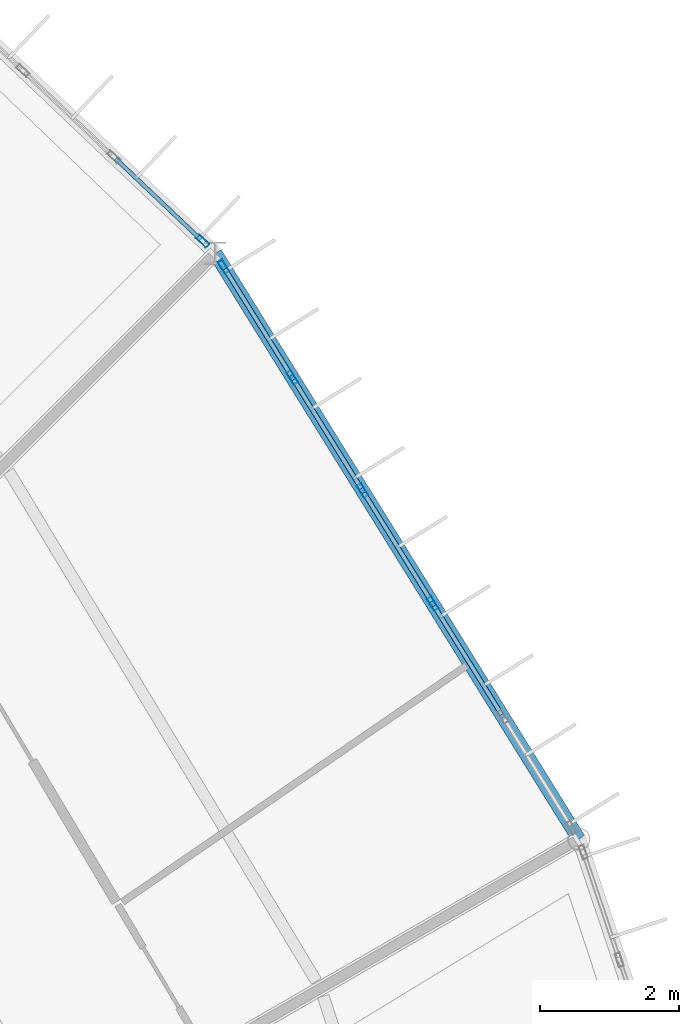
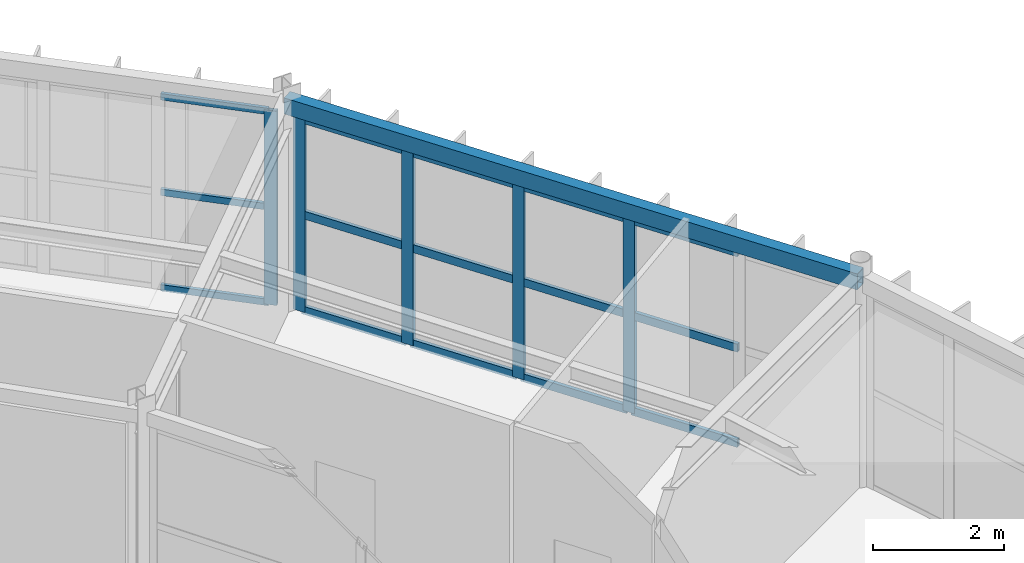
# One storey, part 85 of 148: 20 members, 1 beam, 2 elements without a shape of their own.
"""IFC4 building model written with IfcOpenShell, lengths in metres."""

from ifc_helpers import new_model, si_unit, direction, frame, origin, origin_2d, place, context, subcontext, project, spatial, hollow_rectangle, extrude, material, material_profile, profile_set, type_object, element, aggregate, save


model = new_model("IFC4")

# Units and contexts
model_context = context("Model", 3, precision=1e-05, world=origin(), true_north=direction((0.0, 1.0)))
body_context = subcontext(model_context, "Body", "Model", "MODEL_VIEW")
ifc_project = project(units=[si_unit("LENGTHUNIT", "METRE"), si_unit("AREAUNIT", "SQUARE_METRE"), si_unit("VOLUMEUNIT", "CUBIC_METRE"), si_unit("PLANEANGLEUNIT", "RADIAN"), si_unit("MASSUNIT", "GRAM", prefix="KILO")], contexts=[model_context])

# Site, building, storey
site_placement = place(None, origin())
site = spatial("IfcSite", under=ifc_project, at=site_placement, CompositionType="ELEMENT")
building_placement = place(site_placement, origin())
building = spatial("IfcBuilding", under=site, at=building_placement, Name="Karori Crest Natural Sciences Institute", CompositionType="ELEMENT")
storey_placement = place(building_placement, frame((0.0, 0.0, 4.89990234375)))
storey = spatial("IfcBuildingStorey", under=building, at=storey_placement, Name="L01", CompositionType="ELEMENT", Elevation=4.89990234375)

# Beam
ifc_material_1 = material(Name="Hollow structural steel AS/NZS 1163 Grade C350", Category="steel")
ifc_material_profile_1 = material_profile(ifc_material_1, hollow_rectangle(XDim=0.199951171875, YDim=0.300048828125, WallThickness=0.010009765625, at=origin_2d()), Name="RHS300x200x10")
ifc_profile_set_1 = profile_set([ifc_material_profile_1], Name="Hollow structural steel AS/NZS 1163 Grade C350")
beam_type = type_object("IfcBeamType", Name="BT-15", PredefinedType="SPANDREL", material=ifc_profile_set_1)
beam_placement = place(storey_placement, frame((94.978759765625, 70.300048828125, 3.7900390625), z_axis=(-0.527315195609, 0.849669750244, 0.0), x_axis=(-0.849669750244, -0.527315195609, 0.0)))
element("IfcBeam", 1, at=beam_placement, inside=storey, type_object=beam_type, Name="Beam B-0187", PredefinedType="SPANDREL", context=body_context, shape_type="SweptSolid", body=[
    extrude(hollow_rectangle(XDim=0.199951171875, YDim=0.300048828125, WallThickness=0.010009765625, at=origin_2d()), origin(), (0.0, 0.0, 1.0), 9.945068359375),
])

# Curtain wall, members
ifc_material_2 = material(Name="Anodised architectural aluminium 6063-T6", Category="aluminium")
curtain_wall_type_1 = type_object("IfcCurtainWallType", Name="CWT-03", PredefinedType="NOTDEFINED", material=ifc_material_2)
curtain_wall_1_placement = place(storey_placement, origin())
curtain_wall_1 = element("IfcCurtainWall", 2, at=curtain_wall_1_placement, inside=storey, type_object=curtain_wall_type_1, Name="Curtain wall CW-0033", PredefinedType="NOTDEFINED")
ifc_material_profile_2 = material_profile(ifc_material_2, hollow_rectangle(XDim=0.074951171875, YDim=0.199951171875, WallThickness=0.0048828125, at=origin_2d()), Name="CWM200x75x5")
ifc_profile_set_2 = profile_set([ifc_material_profile_2], Name="Anodised architectural aluminium 6063-T6")
member_type_1 = type_object("IfcMemberType", Name="CWM-02", PredefinedType="MULLION", material=ifc_profile_set_2)
member_1_placement = place(storey_placement, frame((89.854736328125, 78.556396484375, 0.0), z_axis=(0.0, 0.0, 1.0), x_axis=(0.849665769424, 0.527321609902, 0.0)))
member_1 = element("IfcMember", 3, at=member_1_placement, type_object=member_type_1, Name="CW-0033 mullion 1", PredefinedType="MULLION", context=body_context, shape_type="SweptSolid", body=[
    extrude(hollow_rectangle(XDim=0.074951171875, YDim=0.199951171875, WallThickness=0.0048828125, at=origin_2d()), origin(), (0.0, 0.0, 1.0), 3.625),
])
member_2_placement = place(storey_placement, frame((90.8466796875, 76.957763671875, 0.0), z_axis=(0.0, 0.0, 1.0), x_axis=(0.849665769424, 0.527321609902, 0.0)))
member_2 = element("IfcMember", 4, at=member_2_placement, type_object=member_type_1, Name="CW-0033 mullion 2", PredefinedType="MULLION", context=body_context, shape_type="SweptSolid", body=[
    extrude(hollow_rectangle(XDim=0.074951171875, YDim=0.199951171875, WallThickness=0.0048828125, at=origin_2d()), origin(), (0.0, 0.0, 1.0), 3.625),
])
member_3_placement = place(storey_placement, frame((91.858642578125, 75.327392578125, 0.0), z_axis=(0.0, 0.0, 1.0), x_axis=(0.849665769424, 0.527321609902, 0.0)))
member_3 = element("IfcMember", 5, at=member_3_placement, type_object=member_type_1, Name="CW-0033 mullion 3", PredefinedType="MULLION", context=body_context, shape_type="SweptSolid", body=[
    extrude(hollow_rectangle(XDim=0.074951171875, YDim=0.199951171875, WallThickness=0.0048828125, at=origin_2d()), origin(), (0.0, 0.0, 1.0), 3.625),
])
member_4_placement = place(storey_placement, frame((92.87060546875, 73.69677734375, 0.0), z_axis=(0.0, 0.0, 1.0), x_axis=(0.849665769424, 0.527321609902, 0.0)))
member_4 = element("IfcMember", 6, at=member_4_placement, type_object=member_type_1, Name="CW-0033 mullion 4", PredefinedType="MULLION", context=body_context, shape_type="SweptSolid", body=[
    extrude(hollow_rectangle(XDim=0.074951171875, YDim=0.199951171875, WallThickness=0.0048828125, at=origin_2d()), origin(), (0.0, 0.0, 1.0), 3.625),
])

curtain_wall_type_2 = type_object("IfcCurtainWallType", Name="CWT-04", PredefinedType="NOTDEFINED", material=ifc_material_2)
curtain_wall_2_placement = place(storey_placement, origin())
curtain_wall_2 = element("IfcCurtainWall", 7, at=curtain_wall_2_placement, inside=storey, type_object=curtain_wall_type_2, Name="Curtain wall CW-0035", PredefinedType="NOTDEFINED")
member_5_placement = place(storey_placement, frame((89.55322265625, 78.921875, 0.0), z_axis=(0.0, 0.0, 1.0), x_axis=(0.688245939986, 0.725477446992, 0.0)))
member_5 = element("IfcMember", 8, at=member_5_placement, type_object=member_type_1, Name="CW-0035 mullion 6", PredefinedType="MULLION", context=body_context, shape_type="SweptSolid", body=[
    extrude(hollow_rectangle(XDim=0.074951171875, YDim=0.199951171875, WallThickness=0.0048828125, at=origin_2d()), origin(), (0.0, 0.0, 1.0), 3.625),
])
ifc_material_profile_3 = material_profile(ifc_material_2, hollow_rectangle(XDim=0.06005859375, YDim=0.1201171875, WallThickness=0.00390625, at=origin_2d()), Name="CWT120x60x4")
ifc_profile_set_3 = profile_set([ifc_material_profile_3], Name="Anodised architectural aluminium 6063-T6")
member_type_2 = type_object("IfcMemberType", Name="CWT-TR1", PredefinedType="USERDEFINED", material=ifc_profile_set_3)
member_6_placement = place(storey_placement, frame((88.297119140625, 80.113525390625, 0.030029296875), z_axis=(0.72552458718, -0.688196246282, 0.0), x_axis=(0.688196246282, 0.72552458718, 0.0)))
member_6 = element("IfcMember", 9, at=member_6_placement, type_object=member_type_2, Name="CW-0035 transom 5.1", ObjectType="TRANSOM", PredefinedType="USERDEFINED", context=body_context, shape_type="SweptSolid", body=[
    extrude(hollow_rectangle(XDim=0.06005859375, YDim=0.1201171875, WallThickness=0.00390625, at=origin_2d()), origin(), (0.0, 0.0, 1.0), 1.69384765625),
])
member_7_placement = place(storey_placement, frame((88.297119140625, 80.113525390625, 1.8125), z_axis=(0.72552458718, -0.688196246282, 0.0), x_axis=(0.688196246282, 0.72552458718, 0.0)))
member_7 = element("IfcMember", 10, at=member_7_placement, type_object=member_type_2, Name="CW-0035 transom 5.2", ObjectType="TRANSOM", PredefinedType="USERDEFINED", context=body_context, shape_type="SweptSolid", body=[
    extrude(hollow_rectangle(XDim=0.06005859375, YDim=0.1201171875, WallThickness=0.00390625, at=origin_2d()), origin(), (0.0, 0.0, 1.0), 1.69384765625),
])
member_8_placement = place(storey_placement, frame((88.297119140625, 80.113525390625, 3.59521484375), z_axis=(0.72552458718, -0.688196246282, 0.0), x_axis=(0.688196246282, 0.72552458718, 0.0)))
member_8 = element("IfcMember", 11, at=member_8_placement, type_object=member_type_2, Name="CW-0035 transom 5.3", ObjectType="TRANSOM", PredefinedType="USERDEFINED", context=body_context, shape_type="SweptSolid", body=[
    extrude(hollow_rectangle(XDim=0.06005859375, YDim=0.1201171875, WallThickness=0.00390625, at=origin_2d()), origin(), (0.0, 0.0, 1.0), 1.69384765625),
])
aggregate(curtain_wall_2, [member_5, member_6, member_7, member_8])

# Member
ifc_material_profile_4 = material_profile(ifc_material_2, hollow_rectangle(XDim=0.06494140625, YDim=0.14990234375, WallThickness=0.00390625, at=origin_2d()), Name="CWT150x65x4")
ifc_profile_set_4 = profile_set([ifc_material_profile_4], Name="Anodised architectural aluminium 6063-T6")
member_type_3 = type_object("IfcMemberType", Name="CWT-TR2", PredefinedType="USERDEFINED", material=ifc_profile_set_4)
member_9_placement = place(storey_placement, frame((89.87451171875, 78.5244140625, 0.03271484375), z_axis=(0.527238374605, -0.849717421467, 0.0), x_axis=(0.849717421467, 0.527238374605, 0.0)))
member_9 = element("IfcMember", 12, at=member_9_placement, type_object=member_type_3, Name="CW-0033 transom 1.1", ObjectType="TRANSOM", PredefinedType="USERDEFINED", context=body_context, shape_type="SweptSolid", body=[
    extrude(hollow_rectangle(XDim=0.06494140625, YDim=0.14990234375, WallThickness=0.00390625, at=origin_2d()), origin(), (0.0, 0.0, 1.0), 1.806396484375),
])

member_10_placement = place(storey_placement, frame((89.87451171875, 78.5244140625, 1.8125), z_axis=(0.527238374605, -0.849717421467, 0.0), x_axis=(0.849717421467, 0.527238374605, 0.0)))
member_10 = element("IfcMember", 13, at=member_10_placement, type_object=member_type_3, Name="CW-0033 transom 1.2", ObjectType="TRANSOM", PredefinedType="USERDEFINED", context=body_context, shape_type="SweptSolid", body=[
    extrude(hollow_rectangle(XDim=0.06494140625, YDim=0.14990234375, WallThickness=0.00390625, at=origin_2d()), origin(), (0.0, 0.0, 1.0), 1.806396484375),
])

member_11_placement = place(storey_placement, frame((89.87451171875, 78.5244140625, 3.592529296875), z_axis=(0.527238374605, -0.849717421467, 0.0), x_axis=(0.849717421467, 0.527238374605, 0.0)))
member_11 = element("IfcMember", 14, at=member_11_placement, type_object=member_type_3, Name="CW-0033 transom 1.3", ObjectType="TRANSOM", PredefinedType="USERDEFINED", context=body_context, shape_type="SweptSolid", body=[
    extrude(hollow_rectangle(XDim=0.06494140625, YDim=0.14990234375, WallThickness=0.00390625, at=origin_2d()), origin(), (0.0, 0.0, 1.0), 1.806396484375),
])

member_12_placement = place(storey_placement, frame((90.866455078125, 76.92578125, 0.03271484375), z_axis=(0.527366157674, -0.849638120461, 0.0), x_axis=(0.849638120461, 0.527366157674, 0.0)))
member_12 = element("IfcMember", 15, at=member_12_placement, type_object=member_type_3, Name="CW-0033 transom 2.1", ObjectType="TRANSOM", PredefinedType="USERDEFINED", context=body_context, shape_type="SweptSolid", body=[
    extrude(hollow_rectangle(XDim=0.06494140625, YDim=0.14990234375, WallThickness=0.00390625, at=origin_2d()), origin(), (0.0, 0.0, 1.0), 1.843994140625),
])

member_13_placement = place(storey_placement, frame((90.866455078125, 76.92578125, 1.8125), z_axis=(0.527366157674, -0.849638120461, 0.0), x_axis=(0.849638120461, 0.527366157674, 0.0)))
member_13 = element("IfcMember", 16, at=member_13_placement, type_object=member_type_3, Name="CW-0033 transom 2.2", ObjectType="TRANSOM", PredefinedType="USERDEFINED", context=body_context, shape_type="SweptSolid", body=[
    extrude(hollow_rectangle(XDim=0.06494140625, YDim=0.14990234375, WallThickness=0.00390625, at=origin_2d()), origin(), (0.0, 0.0, 1.0), 1.843994140625),
])

member_14_placement = place(storey_placement, frame((90.866455078125, 76.92578125, 3.592529296875), z_axis=(0.527366157674, -0.849638120461, 0.0), x_axis=(0.849638120461, 0.527366157674, 0.0)))
member_14 = element("IfcMember", 17, at=member_14_placement, type_object=member_type_3, Name="CW-0033 transom 2.3", ObjectType="TRANSOM", PredefinedType="USERDEFINED", context=body_context, shape_type="SweptSolid", body=[
    extrude(hollow_rectangle(XDim=0.06494140625, YDim=0.14990234375, WallThickness=0.00390625, at=origin_2d()), origin(), (0.0, 0.0, 1.0), 1.843994140625),
])

member_15_placement = place(storey_placement, frame((91.87841796875, 75.29541015625, 0.03271484375), z_axis=(0.527366157674, -0.849638120461, 0.0), x_axis=(0.849638120461, 0.527366157674, 0.0)))
member_15 = element("IfcMember", 18, at=member_15_placement, type_object=member_type_3, Name="CW-0033 transom 3.1", ObjectType="TRANSOM", PredefinedType="USERDEFINED", context=body_context, shape_type="SweptSolid", body=[
    extrude(hollow_rectangle(XDim=0.06494140625, YDim=0.14990234375, WallThickness=0.00390625, at=origin_2d()), origin(), (0.0, 0.0, 1.0), 1.843994140625),
])

member_16_placement = place(storey_placement, frame((91.87841796875, 75.29541015625, 1.8125), z_axis=(0.527366157674, -0.849638120461, 0.0), x_axis=(0.849638120461, 0.527366157674, 0.0)))
member_16 = element("IfcMember", 19, at=member_16_placement, type_object=member_type_3, Name="CW-0033 transom 3.2", ObjectType="TRANSOM", PredefinedType="USERDEFINED", context=body_context, shape_type="SweptSolid", body=[
    extrude(hollow_rectangle(XDim=0.06494140625, YDim=0.14990234375, WallThickness=0.00390625, at=origin_2d()), origin(), (0.0, 0.0, 1.0), 1.843994140625),
])

member_17_placement = place(storey_placement, frame((91.87841796875, 75.29541015625, 3.592529296875), z_axis=(0.527366157674, -0.849638120461, 0.0), x_axis=(0.849638120461, 0.527366157674, 0.0)))
member_17 = element("IfcMember", 20, at=member_17_placement, type_object=member_type_3, Name="CW-0033 transom 3.3", ObjectType="TRANSOM", PredefinedType="USERDEFINED", context=body_context, shape_type="SweptSolid", body=[
    extrude(hollow_rectangle(XDim=0.06494140625, YDim=0.14990234375, WallThickness=0.00390625, at=origin_2d()), origin(), (0.0, 0.0, 1.0), 1.843994140625),
])

member_18_placement = place(storey_placement, frame((92.890380859375, 73.6650390625, 0.03271484375), z_axis=(0.527306836635, -0.849674937866, 0.0), x_axis=(0.849674937866, 0.527306836635, 0.0)))
member_18 = element("IfcMember", 21, at=member_18_placement, type_object=member_type_3, Name="CW-0033 transom 4.1", ObjectType="TRANSOM", PredefinedType="USERDEFINED", context=body_context, shape_type="SweptSolid", body=[
    extrude(hollow_rectangle(XDim=0.06494140625, YDim=0.14990234375, WallThickness=0.00390625, at=origin_2d()), origin(), (0.0, 0.0, 1.0), 1.843994140625),
])

member_19_placement = place(storey_placement, frame((92.890380859375, 73.6650390625, 1.8125), z_axis=(0.527306836635, -0.849674937866, 0.0), x_axis=(0.849674937866, 0.527306836635, 0.0)))
member_19 = element("IfcMember", 22, at=member_19_placement, type_object=member_type_3, Name="CW-0033 transom 4.2", ObjectType="TRANSOM", PredefinedType="USERDEFINED", context=body_context, shape_type="SweptSolid", body=[
    extrude(hollow_rectangle(XDim=0.06494140625, YDim=0.14990234375, WallThickness=0.00390625, at=origin_2d()), origin(), (0.0, 0.0, 1.0), 1.843994140625),
])

member_20_placement = place(storey_placement, frame((92.890380859375, 73.6650390625, 3.592529296875), z_axis=(0.527306836635, -0.849674937866, 0.0), x_axis=(0.849674937866, 0.527306836635, 0.0)))
member_20 = element("IfcMember", 23, at=member_20_placement, type_object=member_type_3, Name="CW-0033 transom 4.3", ObjectType="TRANSOM", PredefinedType="USERDEFINED", context=body_context, shape_type="SweptSolid", body=[
    extrude(hollow_rectangle(XDim=0.06494140625, YDim=0.14990234375, WallThickness=0.00390625, at=origin_2d()), origin(), (0.0, 0.0, 1.0), 1.843994140625),
])

aggregate(curtain_wall_1, [member_1, member_2, member_3, member_4, member_9, member_10, member_11, member_12, member_13, member_14, member_15, member_16, member_17, member_18, member_19, member_20])

save(model, "model.ifc")
